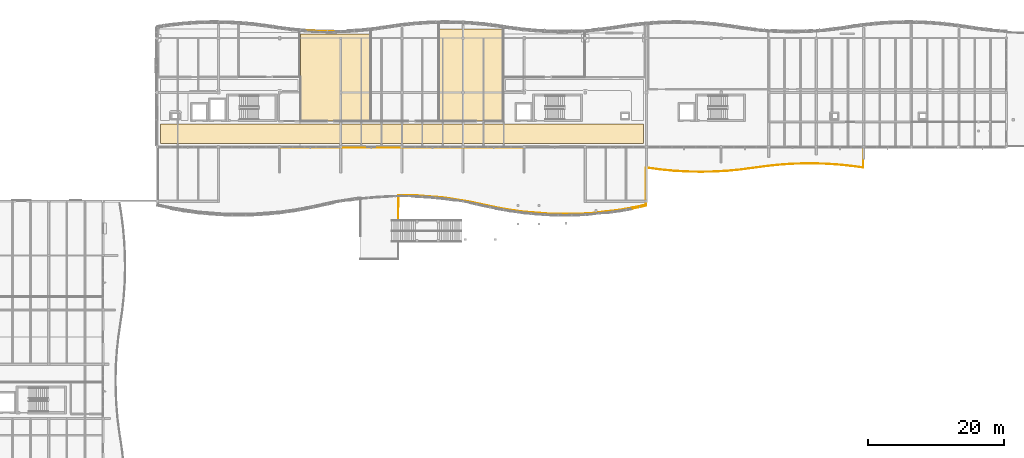
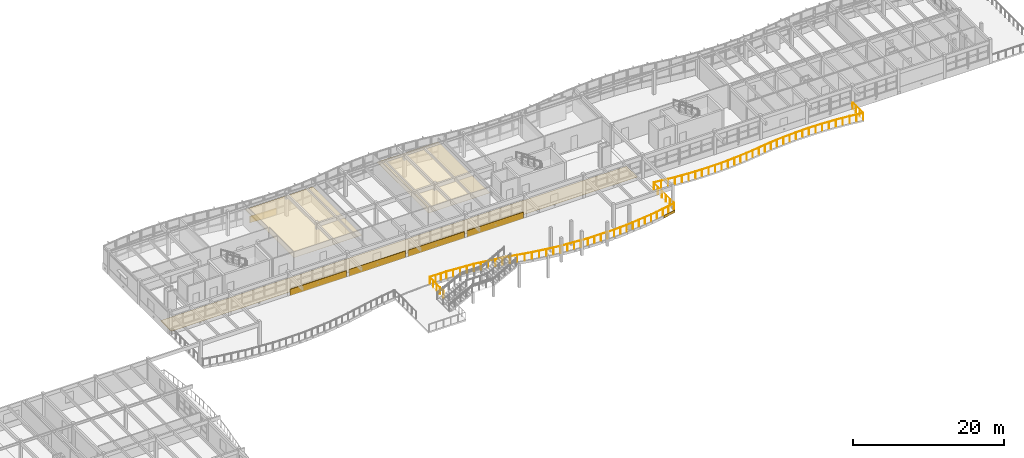
# One storey, part 60 of 63: 10 coverings, 1 railing.
"""IFC4 building model written with IfcOpenShell, lengths in metres."""

from ifc_helpers import new_model, si_unit, direction, frame, origin, origin_2d, place, context, subcontext, project, spatial, polyline, circle, outline, extrude, material, layer, layer_set, type_object, element, save


model = new_model("IFC4")

# Units and contexts
model_context = context("Model", 3, precision=1e-05, world=origin(), true_north=direction((0.0, 1.0)))
body_context = subcontext(model_context, "Body", "Model", "MODEL_VIEW")
ifc_project = project(units=[si_unit("LENGTHUNIT", "METRE"), si_unit("AREAUNIT", "SQUARE_METRE"), si_unit("VOLUMEUNIT", "CUBIC_METRE"), si_unit("PLANEANGLEUNIT", "RADIAN"), si_unit("MASSUNIT", "GRAM", prefix="KILO")], contexts=[model_context])

# Site, building, storey
site_placement = place(None, origin())
site = spatial("IfcSite", under=ifc_project, at=site_placement, CompositionType="ELEMENT")
building_placement = place(site_placement, origin())
building = spatial("IfcBuilding", under=site, at=building_placement, Name="Tonlespit Floodbar School", CompositionType="ELEMENT")
storey_placement = place(building_placement, frame((0.0, 0.0, 8.39990234375)))
storey = spatial("IfcBuildingStorey", under=building, at=storey_placement, Name="L02", CompositionType="ELEMENT", Elevation=8.39990234375)

# Coverings
ifc_material_1 = material(Name="Acoustic Mineral Tile")
ifc_layer_1 = layer(ifc_material_1, 0.02001953125)
ifc_layer_set_1 = layer_set([ifc_layer_1], Name="Acoustic Mineral Tile")
covering_type_1 = type_object("IfcCoveringType", Name="Ceiling_Acoustic_20", PredefinedType="CEILING", material=ifc_layer_set_1)
covering_1_placement = place(storey_placement, frame((0.0, 0.0, 2.650146484375)))
element("IfcCovering", 1, at=covering_1_placement, inside=storey, type_object=covering_type_1, Name="L02 Upper Primary Classroom 202 acoustic ceiling", PredefinedType="CEILING", context=body_context, shape_type="SweptSolid", body=[
    extrude(outline(polyline([(65.070068359375, 107.77001953125), (65.070068359375, 120.6435546875), (75.429931640625, 120.6435546875), (75.429931640625, 107.77001953125), (65.070068359375, 107.77001953125)])), origin(), (0.0, 0.0, 1.0), 0.02001953125),
])
covering_2_placement = place(storey_placement, frame((0.0, 0.0, 2.650146484375)))
element("IfcCovering", 2, at=covering_2_placement, inside=storey, type_object=covering_type_1, Name="L02 Upper Primary Classroom 203 acoustic ceiling", PredefinedType="CEILING", context=body_context, shape_type="SweptSolid", body=[
    extrude(outline(polyline([(85.570068359375, 107.77001953125), (85.570068359375, 121.340087890625), (94.929931640625, 121.340087890625), (94.929931640625, 107.77001953125), (85.570068359375, 107.77001953125)])), origin(), (0.0, 0.0, 1.0), 0.02001953125),
])
ifc_material_2 = material(Name="White Architectural Aluminium", Category="aluminium")
ifc_layer_2 = layer(ifc_material_2, 0.050048828125)
ifc_layer_set_2 = layer_set([ifc_layer_2], Name="White Architectural Aluminium")
covering_type_2 = type_object("IfcCoveringType", Name="Cladding_WhiteBand_50", PredefinedType="CLADDING", material=ifc_layer_set_2)
covering_3_placement = place(storey_placement, frame((0.0, 0.0, -0.119873046875)))
element("IfcCovering", 3, at=covering_3_placement, inside=storey, type_object=covering_type_2, Name="L02 curved white spandrel cladding 0142", PredefinedType="CLADDING", context=body_context, shape_type="SweptSolid", body=[
    extrude(outline(polyline([(66.0048828125, 121.068359375), (68.0048828125, 120.97216796875), (68.007080078125, 121.02197265625), (66.007080078125, 121.118408203125), (66.0048828125, 121.068359375)])), origin(), (0.0, 0.0, 1.0), 1.070068359375),
])
covering_4_placement = place(storey_placement, frame((0.0, 0.0, -0.119873046875)))
element("IfcCovering", 4, at=covering_4_placement, inside=storey, type_object=covering_type_2, Name="L02 curved white spandrel cladding 0143", PredefinedType="CLADDING", context=body_context, shape_type="SweptSolid", body=[
    extrude(outline(polyline([(68.0009765625, 120.97216796875), (70.0009765625, 120.952880859375), (70.00146484375, 121.0029296875), (68.00146484375, 121.022216796875), (68.0009765625, 120.97216796875)])), origin(), (0.0, 0.0, 1.0), 1.070068359375),
])
covering_5_placement = place(storey_placement, frame((0.0, 0.0, -0.119873046875)))
element("IfcCovering", 5, at=covering_5_placement, inside=storey, type_object=covering_type_2, Name="L02 curved white spandrel cladding 0169", PredefinedType="CLADDING", context=body_context, shape_type="SweptSolid", body=[
    extrude(outline(polyline([(97.800048828125, 103.89990234375), (89.199951171875, 103.89990234375), (89.199951171875, 103.85009765625), (97.800048828125, 103.85009765625), (97.800048828125, 103.89990234375)])), origin(), (0.0, 0.0, 1.0), 1.070068359375),
])
covering_6_placement = place(storey_placement, frame((0.0, 0.0, -0.119873046875)))
element("IfcCovering", 6, at=covering_6_placement, inside=storey, type_object=covering_type_2, Name="L02 curved white spandrel cladding 0170", PredefinedType="CLADDING", context=body_context, shape_type="SweptSolid", body=[
    extrude(outline(polyline([(88.800048828125, 103.89990234375), (80.199951171875, 103.89990234375), (80.199951171875, 103.85009765625), (88.800048828125, 103.85009765625), (88.800048828125, 103.89990234375)])), origin(), (0.0, 0.0, 1.0), 1.070068359375),
])
covering_7_placement = place(storey_placement, frame((0.0, 0.0, -0.119873046875)))
element("IfcCovering", 7, at=covering_7_placement, inside=storey, type_object=covering_type_2, Name="L02 curved white spandrel cladding 0171", PredefinedType="CLADDING", context=body_context, shape_type="SweptSolid", body=[
    extrude(outline(polyline([(79.800048828125, 103.8798828125), (71.199951171875, 103.8798828125), (71.199951171875, 103.830078125), (79.800048828125, 103.830078125), (79.800048828125, 103.8798828125)])), origin(), (0.0, 0.0, 1.0), 1.119873046875),
])
covering_8_placement = place(storey_placement, frame((0.0, 0.0, -0.119873046875)))
element("IfcCovering", 8, at=covering_8_placement, inside=storey, type_object=covering_type_2, Name="L02 curved white spandrel cladding 0172", PredefinedType="CLADDING", context=body_context, shape_type="SweptSolid", body=[
    extrude(outline(polyline([(70.800048828125, 103.89990234375), (62.199951171875, 103.89990234375), (62.199951171875, 103.85009765625), (70.800048828125, 103.85009765625), (70.800048828125, 103.89990234375)])), origin(), (0.0, 0.0, 1.0), 1.070068359375),
])
covering_9_placement = place(storey_placement, frame((0.0, 0.0, -0.2998046875)))
element("IfcCovering", 9, at=covering_9_placement, inside=storey, type_object=covering_type_2, Name="L02 curved white spandrel cladding 0213", PredefinedType="CLADDING", context=body_context, shape_type="SweptSolid", body=[
    extrude(outline(polyline([(114.0, 94.927001953125), (116.0, 95.360107421875), (116.0, 95.31005859375), (114.0, 94.876953125), (114.0, 94.927001953125)])), origin(), (0.0, 0.0, 1.0), 0.419921875),
])
ifc_material_3 = material(Name="Terrazzo Tile")
ifc_layer_3 = layer(ifc_material_3, 0.02001953125)
ifc_layer_set_3 = layer_set([ifc_layer_3], Name="Terrazzo Tile")
covering_type_3 = type_object("IfcCoveringType", Name="Flooring_Terrazzo_20", PredefinedType="FLOORING", material=ifc_layer_set_3)
covering_10_placement = place(storey_placement, origin())
element("IfcCovering", 10, at=covering_10_placement, inside=storey, type_object=covering_type_3, Name="L02 Upper Primary Corridor terrazzo flooring", PredefinedType="FLOORING", context=body_context, shape_type="SweptSolid", body=[
    extrude(outline(polyline([(115.530029296875, 107.330078125), (115.530029296875, 104.469970703125), (44.469970703125, 104.469970703125), (44.469970703125, 107.330078125), (115.530029296875, 107.330078125)])), origin(), (0.0, 0.0, 1.0), 0.02001953125),
])

# Railing
ifc_material_4 = material(Name="Anodised Aluminium", Category="aluminium")
railing_type = type_object("IfcRailingType", Name="Guardrail_Terrace_1150", PredefinedType="GUARDRAIL", material=ifc_material_4)
railing_placement = place(storey_placement, frame((147.919921875, 103.76953125, 0.0)))
element("IfcRailing", 11, at=railing_placement, inside=storey, type_object=railing_type, Name="L02 terrace balustrade 014", PredefinedType="GUARDRAIL", context=body_context, shape_type="SweptSolid", body=[
    extrude(circle(Radius=0.02392578125, at=origin_2d()), frame((0.0, 0.0, 1.1259765625), z_axis=(0.0, -1.0, 0.0), x_axis=(1.0, 0.0, 0.0)), (0.0, 0.0, 1.0), 2.827392578125),
    extrude(circle(Radius=0.02392578125, at=origin_2d()), frame((0.0, -2.827392578125, 1.1259765625), z_axis=(-0.990935519872, 0.134338361819, 0.0), x_axis=(-0.134338361819, -0.990935519872, 0.0)), (0.0, 0.0, 1.0), 1.926513671875),
    extrude(circle(Radius=0.02392578125, at=origin_2d()), frame((-1.908935546875, -2.568603515625, 1.1259765625), z_axis=(-0.995360889046, 0.096211748539, 0.0), x_axis=(-0.096211748539, -0.995360889046, 0.0)), (0.0, 0.0, 1.0), 2.01220703125),
    extrude(circle(Radius=0.02392578125, at=origin_2d()), frame((-3.911865234375, -2.375, 1.1259765625), z_axis=(-0.998328485703, 0.057794763036, 0.0), x_axis=(-0.057794763036, -0.998328485703, 0.0)), (0.0, 0.0, 1.0), 2.006591796875),
    extrude(circle(Radius=0.02392578125, at=origin_2d()), frame((-5.9150390625, -2.259033203125, 1.1259765625), z_axis=(-0.999814598995, 0.019255327479, 0.0), x_axis=(-0.019255327479, -0.999814598995, 0.0)), (0.0, 0.0, 1.0), 2.00341796875),
    extrude(circle(Radius=0.02392578125, at=origin_2d()), frame((-7.91796875, -2.220458984375, 1.1259765625), z_axis=(-0.999814644172, -0.01925298157, 0.0), x_axis=(0.01925298157, -0.999814644172, 0.0)), (0.0, 0.0, 1.0), 2.003662109375),
    extrude(circle(Radius=0.02392578125, at=origin_2d()), frame((-9.921142578125, -2.259033203125, 1.1259765625), z_axis=(-0.998342093984, -0.057559216291, 0.0), x_axis=(0.057559216291, -0.998342093984, 0.0)), (0.0, 0.0, 1.0), 2.00634765625),
    extrude(circle(Radius=0.02392578125, at=origin_2d()), frame((-11.924072265625, -2.37451171875, 1.1259765625), z_axis=(-0.995362011924, -0.096200131073, 0.0), x_axis=(0.096200131073, -0.995362011924, 0.0)), (0.0, 0.0, 1.0), 2.012451171875),
    extrude(circle(Radius=0.02392578125, at=origin_2d()), frame((-13.92724609375, -2.568115234375, 1.1259765625), z_axis=(-0.990895899488, -0.134630295172, 0.0), x_axis=(0.134630295172, -0.990895899488, 0.0)), (0.0, 0.0, 1.0), 4.03857421875),
    extrude(circle(Radius=0.02392578125, at=origin_2d()), frame((-17.928955078125, -3.11181640625, 1.1259765625), z_axis=(-0.995368811557, -0.096129750749, 0.0), x_axis=(0.096129750749, -0.995368811557, 0.0)), (0.0, 0.0, 1.0), 2.00634765625),
    extrude(circle(Radius=0.02392578125, at=origin_2d()), frame((-19.926025390625, -3.3046875, 1.1259765625), z_axis=(-0.998331968739, -0.057734566721, 0.0), x_axis=(0.057734566721, -0.998331968739, 0.0)), (0.0, 0.0, 1.0), 2.000244140625),
    extrude(circle(Radius=0.02392578125, at=origin_2d()), frame((-21.9228515625, -3.420166015625, 1.1259765625), z_axis=(-0.999813464184, -0.019314161553, 0.0), x_axis=(0.019314161553, -0.999813464184, 0.0)), (0.0, 0.0, 1.0), 1.997314453125),
    extrude(circle(Radius=0.02392578125, at=origin_2d()), frame((-23.919677734375, -3.458740234375, 1.1259765625), z_axis=(-0.999813464184, 0.019314161553, 0.0), x_axis=(-0.019314161553, -0.999813464184, 0.0)), (0.0, 0.0, 1.0), 1.997314453125),
    extrude(circle(Radius=0.02392578125, at=origin_2d()), frame((-25.91650390625, -3.420166015625, 1.1259765625), z_axis=(-0.998332375526, 0.057727532228, 0.0), x_axis=(-0.057727532228, -0.998332375526, 0.0)), (0.0, 0.0, 1.0), 2.00048828125),
    extrude(circle(Radius=0.02392578125, at=origin_2d()), frame((-27.91357421875, -3.3046875, 1.1259765625), z_axis=(-0.995367686887, 0.096141395359, 0.0), x_axis=(-0.096141395359, -0.995367686887, 0.0)), (0.0, 0.0, 1.0), 2.006103515625),
    extrude(circle(Radius=0.02392578125, at=origin_2d()), frame((-29.910400390625, -3.11181640625, 1.1259765625), z_axis=(-0.990891154077, 0.134665217381, 0.0), x_axis=(-0.134665217381, -0.990891154077, 0.0)), (0.0, 0.0, 1.0), 1.994140625),
    extrude(circle(Radius=0.02392578125, at=origin_2d()), frame((-31.886474609375, -2.84326171875, 1.1259765625), z_axis=(-0.958888470962, -0.283783192341, 0.0), x_axis=(0.283783192341, -0.958888470962, 0.0)), (0.0, 0.0, 1.0), 0.081787109375),
    extrude(circle(Radius=0.02392578125, at=origin_2d()), frame((-31.96484375, -2.866455078125, 1.1259765625), z_axis=(-0.436198663947, -0.89985039066, 0.0), x_axis=(0.89985039066, -0.436198663947, 0.0)), (0.0, 0.0, 1.0), 0.080078125),
    extrude(circle(Radius=0.02392578125, at=origin_2d()), frame((-31.999755859375, -2.9384765625, 1.1259765625), z_axis=(-4.5497975e-05, -0.999999998965, 0.0), x_axis=(0.999999998965, -4.5497975e-05, 0.0)), (0.0, 0.0, 1.0), 5.365966796875),
    extrude(circle(Radius=0.02392578125, at=origin_2d()), frame((-32.0, -8.304443359375, 1.1259765625), z_axis=(-0.977305274032, -0.211835788643, 0.0), x_axis=(0.211835788643, -0.977305274032, 0.0)), (0.0, 0.0, 1.0), 1.97998046875),
    extrude(circle(Radius=0.02392578125, at=origin_2d()), frame((-33.93505859375, -8.723876953125, 1.1259765625), z_axis=(-0.984882837925, -0.173221810291, 0.0), x_axis=(0.173221810291, -0.984882837925, 0.0)), (0.0, 0.0, 1.0), 2.026611328125),
    extrude(circle(Radius=0.02392578125, at=origin_2d()), frame((-35.93115234375, -9.074951171875, 1.1259765625), z_axis=(-0.993313694719, -0.115446541238, 0.0), x_axis=(0.115446541238, -0.993313694719, 0.0)), (0.0, 0.0, 1.0), 4.022216796875),
    extrude(circle(Radius=0.02392578125, at=origin_2d()), frame((-39.926513671875, -9.539306640625, 1.1259765625), z_axis=(-0.998336563147, -0.057655066414, 0.0), x_axis=(0.057655066414, -0.998336563147, 0.0)), (0.0, 0.0, 1.0), 1.998779296875),
    extrude(circle(Radius=0.02392578125, at=origin_2d()), frame((-41.921875, -9.654541015625, 1.1259765625), z_axis=(-1.0, 0.0, 0.0), x_axis=(0.0, -1.0, 0.0)), (0.0, 0.0, 1.0), 3.99462890625),
    extrude(circle(Radius=0.02392578125, at=origin_2d()), frame((-45.91650390625, -9.654541015625, 1.1259765625), z_axis=(-0.997034018658, 0.076962105217, 0.0), x_axis=(-0.076962105217, -0.997034018658, 0.0)), (0.0, 0.0, 1.0), 4.006591796875),
    extrude(circle(Radius=0.02392578125, at=origin_2d()), frame((-49.9111328125, -9.34619140625, 1.1259765625), z_axis=(-0.990895680533, 0.134631906698, 0.0), x_axis=(-0.134631906698, -0.990895680533, 0.0)), (0.0, 0.0, 1.0), 2.0146484375),
    extrude(circle(Radius=0.02392578125, at=origin_2d()), frame((-51.907470703125, -9.074951171875, 1.1259765625), z_axis=(-0.984914205659, 0.173043368814, 0.0), x_axis=(-0.173043368814, -0.984914205659, 0.0)), (0.0, 0.0, 1.0), 2.02734375),
    extrude(circle(Radius=0.02392578125, at=origin_2d()), frame((-53.904296875, -8.72412109375, 1.1259765625), z_axis=(-0.97734948177, 0.211631733168, 0.0), x_axis=(-0.211631733168, -0.97734948177, 0.0)), (0.0, 0.0, 1.0), 4.0908203125),
    extrude(circle(Radius=0.02392578125, at=origin_2d()), frame((-57.90234375, -7.8583984375, 1.1259765625), z_axis=(-0.988074548148, 0.153976255644, 0.0), x_axis=(-0.153976255644, -0.988074548148, 0.0)), (0.0, 0.0, 1.0), 4.052734375),
    extrude(circle(Radius=0.02392578125, at=origin_2d()), frame((-61.90673828125, -7.234375, 1.1259765625), z_axis=(-0.997027978909, 0.0770403094, 0.0), x_axis=(-0.0770403094, -0.997027978909, 0.0)), (0.0, 0.0, 1.0), 4.018310546875),
    extrude(circle(Radius=0.02392578125, at=origin_2d()), frame((-65.9130859375, -6.9248046875, 1.1259765625), z_axis=(-0.999925840634, 0.012178391989, 0.0), x_axis=(-0.012178391989, -0.999925840634, 0.0)), (0.0, 0.0, 1.0), 2.44580078125),
    extrude(circle(Radius=0.02392578125, at=origin_2d()), frame((-68.358642578125, -6.89501953125, 1.1259765625), z_axis=(-0.919457622667, -0.393189114956, 0.0), x_axis=(0.393189114956, -0.919457622667, 0.0)), (0.0, 0.0, 1.0), 0.080810546875),
    extrude(circle(Radius=0.02392578125, at=origin_2d()), frame((-68.432861328125, -6.9267578125, 1.1259765625), z_axis=(-0.007521641258, -0.999971712056, 0.0), x_axis=(0.999971712056, -0.007521641258, 0.0)), (0.0, 0.0, 1.0), 3.602783203125),
    extrude(circle(Radius=0.02099609375, at=origin_2d()), origin(), (0.0, 0.0, 1.0), 1.101806640625),
    extrude(circle(Radius=0.02099609375, at=origin_2d()), frame((0.0, -0.9423828125, 0.0)), (0.0, 0.0, 1.0), 1.101806640625),
    extrude(circle(Radius=0.02099609375, at=origin_2d()), frame((0.0, -1.885009765625, 0.0)), (0.0, 0.0, 1.0), 1.101806640625),
    extrude(circle(Radius=0.02099609375, at=origin_2d()), frame((0.0, -2.827392578125, 0.0)), (0.0, 0.0, 1.0), 1.101806640625),
    extrude(circle(Radius=0.02099609375, at=origin_2d()), frame((-0.95458984375, -2.697998046875, 0.0)), (0.0, 0.0, 1.0), 1.101806640625),
    extrude(circle(Radius=0.02099609375, at=origin_2d()), frame((-1.908935546875, -2.568603515625, 0.0)), (0.0, 0.0, 1.0), 1.101806640625),
    extrude(circle(Radius=0.02099609375, at=origin_2d()), frame((-2.910400390625, -2.4716796875, 0.0)), (0.0, 0.0, 1.0), 1.101806640625),
    extrude(circle(Radius=0.02099609375, at=origin_2d()), frame((-3.911865234375, -2.375, 0.0)), (0.0, 0.0, 1.0), 1.101806640625),
    extrude(circle(Radius=0.02099609375, at=origin_2d()), frame((-4.91357421875, -2.31689453125, 0.0)), (0.0, 0.0, 1.0), 1.101806640625),
    extrude(circle(Radius=0.02099609375, at=origin_2d()), frame((-5.9150390625, -2.259033203125, 0.0)), (0.0, 0.0, 1.0), 1.101806640625),
    extrude(circle(Radius=0.02099609375, at=origin_2d()), frame((-6.91650390625, -2.23974609375, 0.0)), (0.0, 0.0, 1.0), 1.101806640625),
    extrude(circle(Radius=0.02099609375, at=origin_2d()), frame((-7.91796875, -2.220458984375, 0.0)), (0.0, 0.0, 1.0), 1.101806640625),
    extrude(circle(Radius=0.02099609375, at=origin_2d()), frame((-8.91943359375, -2.23974609375, 0.0)), (0.0, 0.0, 1.0), 1.101806640625),
    extrude(circle(Radius=0.02099609375, at=origin_2d()), frame((-9.921142578125, -2.259033203125, 0.0)), (0.0, 0.0, 1.0), 1.101806640625),
    extrude(circle(Radius=0.02099609375, at=origin_2d()), frame((-10.922607421875, -2.31689453125, 0.0)), (0.0, 0.0, 1.0), 1.101806640625),
    extrude(circle(Radius=0.02099609375, at=origin_2d()), frame((-11.924072265625, -2.37451171875, 0.0)), (0.0, 0.0, 1.0), 1.101806640625),
    extrude(circle(Radius=0.02099609375, at=origin_2d()), frame((-12.92578125, -2.47119140625, 0.0)), (0.0, 0.0, 1.0), 1.101806640625),
    extrude(circle(Radius=0.02099609375, at=origin_2d()), frame((-13.92724609375, -2.568115234375, 0.0)), (0.0, 0.0, 1.0), 1.101806640625),
    extrude(circle(Radius=0.02099609375, at=origin_2d()), frame((-14.927734375, -2.7041015625, 0.0)), (0.0, 0.0, 1.0), 1.101806640625),
    extrude(circle(Radius=0.02099609375, at=origin_2d()), frame((-15.92822265625, -2.83984375, 0.0)), (0.0, 0.0, 1.0), 1.101806640625),
    extrude(circle(Radius=0.02099609375, at=origin_2d()), frame((-16.928466796875, -2.975830078125, 0.0)), (0.0, 0.0, 1.0), 1.101806640625),
    extrude(circle(Radius=0.02099609375, at=origin_2d()), frame((-17.928955078125, -3.11181640625, 0.0)), (0.0, 0.0, 1.0), 1.101806640625),
    extrude(circle(Radius=0.02099609375, at=origin_2d()), frame((-18.927490234375, -3.208251953125, 0.0)), (0.0, 0.0, 1.0), 1.101806640625),
    extrude(circle(Radius=0.02099609375, at=origin_2d()), frame((-19.926025390625, -3.3046875, 0.0)), (0.0, 0.0, 1.0), 1.101806640625),
    extrude(circle(Radius=0.02099609375, at=origin_2d()), frame((-20.92431640625, -3.3623046875, 0.0)), (0.0, 0.0, 1.0), 1.101806640625),
    extrude(circle(Radius=0.02099609375, at=origin_2d()), frame((-21.9228515625, -3.420166015625, 0.0)), (0.0, 0.0, 1.0), 1.101806640625),
    extrude(circle(Radius=0.02099609375, at=origin_2d()), frame((-22.92138671875, -3.439453125, 0.0)), (0.0, 0.0, 1.0), 1.101806640625),
    extrude(circle(Radius=0.02099609375, at=origin_2d()), frame((-23.919677734375, -3.458740234375, 0.0)), (0.0, 0.0, 1.0), 1.101806640625),
    extrude(circle(Radius=0.02099609375, at=origin_2d()), frame((-24.91796875, -3.439453125, 0.0)), (0.0, 0.0, 1.0), 1.101806640625),
    extrude(circle(Radius=0.02099609375, at=origin_2d()), frame((-25.91650390625, -3.420166015625, 0.0)), (0.0, 0.0, 1.0), 1.101806640625),
    extrude(circle(Radius=0.02099609375, at=origin_2d()), frame((-26.9150390625, -3.3623046875, 0.0)), (0.0, 0.0, 1.0), 1.101806640625),
    extrude(circle(Radius=0.02099609375, at=origin_2d()), frame((-27.91357421875, -3.3046875, 0.0)), (0.0, 0.0, 1.0), 1.101806640625),
    extrude(circle(Radius=0.02099609375, at=origin_2d()), frame((-28.912109375, -3.208251953125, 0.0)), (0.0, 0.0, 1.0), 1.101806640625),
    extrude(circle(Radius=0.02099609375, at=origin_2d()), frame((-29.910400390625, -3.11181640625, 0.0)), (0.0, 0.0, 1.0), 1.101806640625),
    extrude(circle(Radius=0.02099609375, at=origin_2d()), frame((-30.8984375, -2.9775390625, 0.0)), (0.0, 0.0, 1.0), 1.101806640625),
    extrude(circle(Radius=0.02099609375, at=origin_2d()), frame((-31.886474609375, -2.84326171875, 0.0)), (0.0, 0.0, 1.0), 1.101806640625),
    extrude(circle(Radius=0.02099609375, at=origin_2d()), frame((-31.96484375, -2.866455078125, 0.0)), (0.0, 0.0, 1.0), 1.101806640625),
    extrude(circle(Radius=0.02099609375, at=origin_2d()), frame((-31.999755859375, -2.9384765625, 0.0)), (0.0, 0.0, 1.0), 1.101806640625),
    extrude(circle(Radius=0.02099609375, at=origin_2d()), frame((-31.999755859375, -4.01171875, 0.0)), (0.0, 0.0, 1.0), 1.101806640625),
    extrude(circle(Radius=0.02099609375, at=origin_2d()), frame((-31.999755859375, -5.0849609375, 0.0)), (0.0, 0.0, 1.0), 1.101806640625),
    extrude(circle(Radius=0.02099609375, at=origin_2d()), frame((-32.0, -6.157958984375, 0.0)), (0.0, 0.0, 1.0), 1.101806640625),
    extrude(circle(Radius=0.02099609375, at=origin_2d()), frame((-32.0, -7.231201171875, 0.0)), (0.0, 0.0, 1.0), 1.101806640625),
    extrude(circle(Radius=0.02099609375, at=origin_2d()), frame((-32.0, -8.304443359375, 0.0)), (0.0, 0.0, 1.0), 1.101806640625),
    extrude(circle(Radius=0.02099609375, at=origin_2d()), frame((-32.967529296875, -8.51416015625, 0.0)), (0.0, 0.0, 1.0), 1.101806640625),
    extrude(circle(Radius=0.02099609375, at=origin_2d()), frame((-33.93505859375, -8.723876953125, 0.0)), (0.0, 0.0, 1.0), 1.101806640625),
    extrude(circle(Radius=0.02099609375, at=origin_2d()), frame((-34.93310546875, -8.8994140625, 0.0)), (0.0, 0.0, 1.0), 1.101806640625),
    extrude(circle(Radius=0.02099609375, at=origin_2d()), frame((-35.93115234375, -9.074951171875, 0.0)), (0.0, 0.0, 1.0), 1.101806640625),
    extrude(circle(Radius=0.02099609375, at=origin_2d()), frame((-36.929931640625, -9.19091796875, 0.0)), (0.0, 0.0, 1.0), 1.101806640625),
    extrude(circle(Radius=0.02099609375, at=origin_2d()), frame((-37.9287109375, -9.30712890625, 0.0)), (0.0, 0.0, 1.0), 1.101806640625),
    extrude(circle(Radius=0.02099609375, at=origin_2d()), frame((-38.927734375, -9.42333984375, 0.0)), (0.0, 0.0, 1.0), 1.101806640625),
    extrude(circle(Radius=0.02099609375, at=origin_2d()), frame((-39.926513671875, -9.539306640625, 0.0)), (0.0, 0.0, 1.0), 1.101806640625),
    extrude(circle(Radius=0.02099609375, at=origin_2d()), frame((-40.92431640625, -9.596923828125, 0.0)), (0.0, 0.0, 1.0), 1.101806640625),
    extrude(circle(Radius=0.02099609375, at=origin_2d()), frame((-41.921875, -9.654541015625, 0.0)), (0.0, 0.0, 1.0), 1.101806640625),
    extrude(circle(Radius=0.02099609375, at=origin_2d()), frame((-42.92041015625, -9.654541015625, 0.0)), (0.0, 0.0, 1.0), 1.101806640625),
    extrude(circle(Radius=0.02099609375, at=origin_2d()), frame((-43.919189453125, -9.654541015625, 0.0)), (0.0, 0.0, 1.0), 1.101806640625),
    extrude(circle(Radius=0.02099609375, at=origin_2d()), frame((-44.91796875, -9.654541015625, 0.0)), (0.0, 0.0, 1.0), 1.101806640625),
    extrude(circle(Radius=0.02099609375, at=origin_2d()), frame((-45.91650390625, -9.654541015625, 0.0)), (0.0, 0.0, 1.0), 1.101806640625),
    extrude(circle(Radius=0.02099609375, at=origin_2d()), frame((-46.9150390625, -9.577392578125, 0.0)), (0.0, 0.0, 1.0), 1.101806640625),
    extrude(circle(Radius=0.02099609375, at=origin_2d()), frame((-47.913818359375, -9.50048828125, 0.0)), (0.0, 0.0, 1.0), 1.101806640625),
    extrude(circle(Radius=0.02099609375, at=origin_2d()), frame((-48.91259765625, -9.42333984375, 0.0)), (0.0, 0.0, 1.0), 1.101806640625),
    extrude(circle(Radius=0.02099609375, at=origin_2d()), frame((-49.9111328125, -9.34619140625, 0.0)), (0.0, 0.0, 1.0), 1.101806640625),
    extrude(circle(Radius=0.02099609375, at=origin_2d()), frame((-50.9091796875, -9.21044921875, 0.0)), (0.0, 0.0, 1.0), 1.101806640625),
    extrude(circle(Radius=0.02099609375, at=origin_2d()), frame((-51.907470703125, -9.074951171875, 0.0)), (0.0, 0.0, 1.0), 1.101806640625),
    extrude(circle(Radius=0.02099609375, at=origin_2d()), frame((-52.90576171875, -8.8994140625, 0.0)), (0.0, 0.0, 1.0), 1.101806640625),
    extrude(circle(Radius=0.02099609375, at=origin_2d()), frame((-53.904296875, -8.72412109375, 0.0)), (0.0, 0.0, 1.0), 1.101806640625),
    extrude(circle(Radius=0.02099609375, at=origin_2d()), frame((-54.90380859375, -8.5078125, 0.0)), (0.0, 0.0, 1.0), 1.101806640625),
    extrude(circle(Radius=0.02099609375, at=origin_2d()), frame((-55.9033203125, -8.291259765625, 0.0)), (0.0, 0.0, 1.0), 1.101806640625),
    extrude(circle(Radius=0.02099609375, at=origin_2d()), frame((-56.90283203125, -8.07470703125, 0.0)), (0.0, 0.0, 1.0), 1.101806640625),
    extrude(circle(Radius=0.02099609375, at=origin_2d()), frame((-57.90234375, -7.8583984375, 0.0)), (0.0, 0.0, 1.0), 1.101806640625),
    extrude(circle(Radius=0.02099609375, at=origin_2d()), frame((-58.9033203125, -7.702392578125, 0.0)), (0.0, 0.0, 1.0), 1.101806640625),
    extrude(circle(Radius=0.02099609375, at=origin_2d()), frame((-59.904541015625, -7.54638671875, 0.0)), (0.0, 0.0, 1.0), 1.101806640625),
    extrude(circle(Radius=0.02099609375, at=origin_2d()), frame((-60.90576171875, -7.390380859375, 0.0)), (0.0, 0.0, 1.0), 1.101806640625),
    extrude(circle(Radius=0.02099609375, at=origin_2d()), frame((-61.90673828125, -7.234375, 0.0)), (0.0, 0.0, 1.0), 1.101806640625),
    extrude(circle(Radius=0.02099609375, at=origin_2d()), frame((-62.908203125, -7.156982421875, 0.0)), (0.0, 0.0, 1.0), 1.101806640625),
    extrude(circle(Radius=0.02099609375, at=origin_2d()), frame((-63.909912109375, -7.07958984375, 0.0)), (0.0, 0.0, 1.0), 1.101806640625),
    extrude(circle(Radius=0.02099609375, at=origin_2d()), frame((-64.91162109375, -7.002197265625, 0.0)), (0.0, 0.0, 1.0), 1.101806640625),
    extrude(circle(Radius=0.02099609375, at=origin_2d()), frame((-65.9130859375, -6.9248046875, 0.0)), (0.0, 0.0, 1.0), 1.101806640625),
    extrude(circle(Radius=0.02099609375, at=origin_2d()), frame((-66.728271484375, -6.914794921875, 0.0)), (0.0, 0.0, 1.0), 1.101806640625),
    extrude(circle(Radius=0.02099609375, at=origin_2d()), frame((-67.54345703125, -6.905029296875, 0.0)), (0.0, 0.0, 1.0), 1.101806640625),
    extrude(circle(Radius=0.02099609375, at=origin_2d()), frame((-68.358642578125, -6.89501953125, 0.0)), (0.0, 0.0, 1.0), 1.101806640625),
    extrude(circle(Radius=0.02099609375, at=origin_2d()), frame((-68.432861328125, -6.9267578125, 0.0)), (0.0, 0.0, 1.0), 1.101806640625),
    extrude(circle(Radius=0.02099609375, at=origin_2d()), frame((-68.439697265625, -7.827392578125, 0.0)), (0.0, 0.0, 1.0), 1.101806640625),
    extrude(circle(Radius=0.02099609375, at=origin_2d()), frame((-68.4462890625, -8.72802734375, 0.0)), (0.0, 0.0, 1.0), 1.101806640625),
    extrude(circle(Radius=0.02099609375, at=origin_2d()), frame((-68.453125, -9.62890625, 0.0)), (0.0, 0.0, 1.0), 1.101806640625),
    extrude(circle(Radius=0.02099609375, at=origin_2d()), frame((-68.4599609375, -10.529541015625, 0.0)), (0.0, 0.0, 1.0), 1.101806640625),
])

save(model, "model.ifc")
